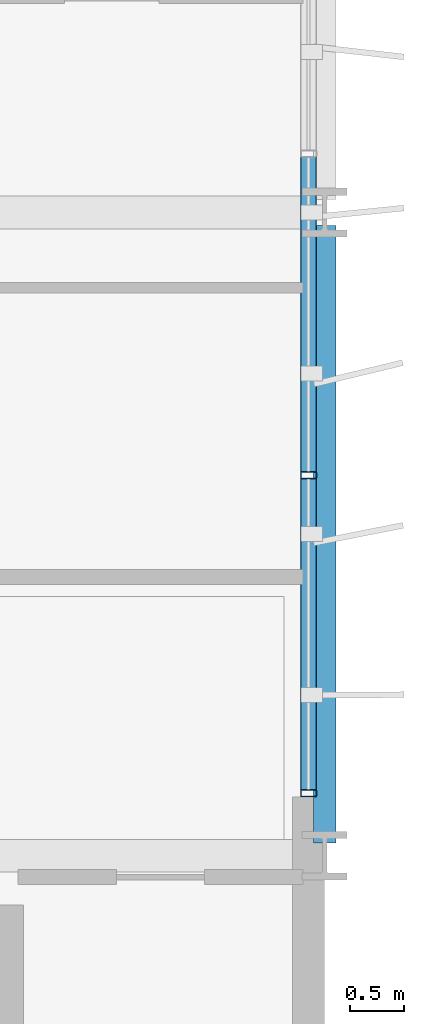
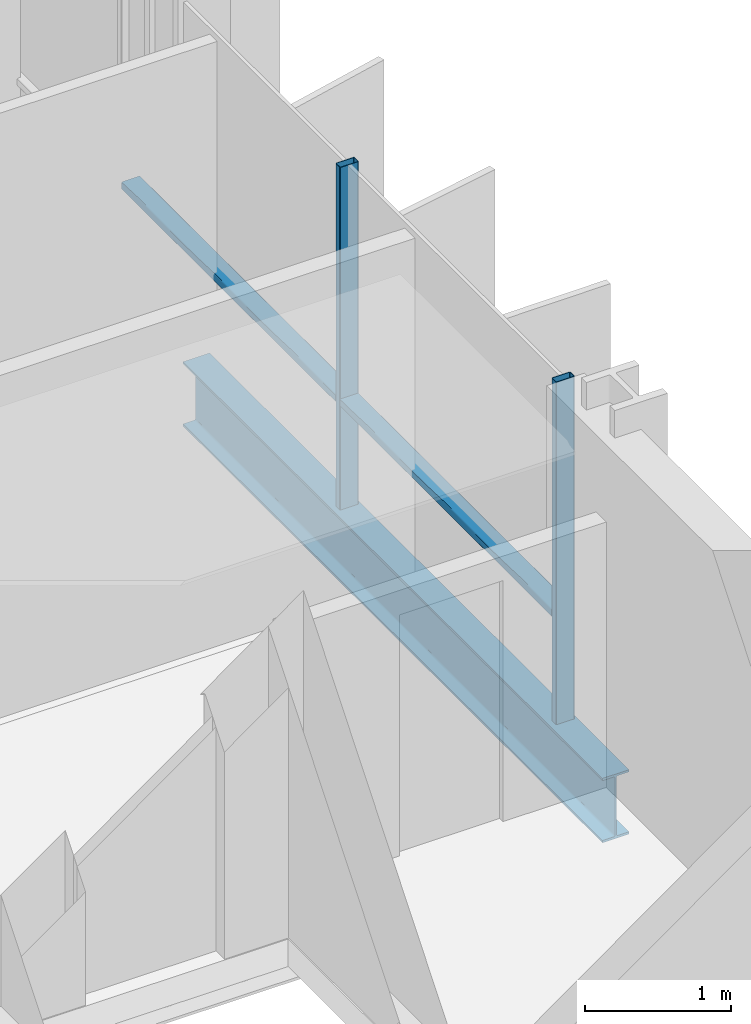
# One storey, part 15 of 39: 4 members, 1 beam, 1 element without a shape of its own.
"""IFC4 building model written with IfcOpenShell, lengths in metres."""

from ifc_helpers import new_model, si_unit, direction, frame, origin, origin_2d, place, context, subcontext, project, spatial, hollow_rectangle, i_section, extrude, material, layer, layer_set, material_profile, profile_set, type_object, element, aggregate, save


model = new_model("IFC4")

# Units and contexts
model_context = context("Model", 3, precision=1e-05, world=origin(), true_north=direction((0.0, 1.0)))
body_context = subcontext(model_context, "Body", "Model", "MODEL_VIEW")
ifc_project = project(units=[si_unit("LENGTHUNIT", "METRE"), si_unit("AREAUNIT", "SQUARE_METRE"), si_unit("VOLUMEUNIT", "CUBIC_METRE"), si_unit("PLANEANGLEUNIT", "RADIAN"), si_unit("MASSUNIT", "GRAM", prefix="KILO")], contexts=[model_context])

# Site, building, storey
site_placement = place(None, origin())
site = spatial("IfcSite", under=ifc_project, at=site_placement, CompositionType="ELEMENT")
building_placement = place(site_placement, origin())
building = spatial("IfcBuilding", under=site, at=building_placement, Name="Brevholm Reach", CompositionType="ELEMENT")
storey_placement = place(building_placement, frame((0.0, 0.0, 90.0)))
storey = spatial("IfcBuildingStorey", under=building, at=storey_placement, Name="L26", CompositionType="ELEMENT", Elevation=90.0)

# Beam
ifc_material_1 = material(Name="Structural Steel S355J2", Category="steel")
ifc_material_profile_1 = material_profile(ifc_material_1, i_section(OverallWidth=0.210693359375, OverallDepth=0.53955078125, WebThickness=0.01171875, FlangeThickness=0.018798828125, FilletRadius=0.0126953125, at=origin_2d()), Name="UKB 533x210x109")
ifc_profile_set_1 = profile_set([ifc_material_profile_1], Name="Structural Steel S355J2")
beam_type = type_object("IfcBeamType", Name="BM-SP539", PredefinedType="SPANDREL", material=ifc_profile_set_1)
beam_placement = place(storey_placement, frame((60.0, 10.1201171875, -0.499755859375), z_axis=(0.0, 1.0, 0.0), x_axis=(-1.0, 0.0, 0.0)))
element("IfcBeam", 1, at=beam_placement, inside=storey, type_object=beam_type, Name="L26 SP-01B Framing Beam", PredefinedType="SPANDREL", context=body_context, shape_type="SweptSolid", body=[
    extrude(i_section(OverallWidth=0.210693359375, OverallDepth=0.53955078125, WebThickness=0.01171875, FlangeThickness=0.018798828125, FilletRadius=0.0126953125, at=origin_2d()), origin(), (0.0, 0.0, 1.0), 5.759765625),
])

# Curtain wall, members
ifc_material_2 = material(Name="Dark Anodised Aluminium 6063-T6 and Solar-Control Glass", Category="aluminium")
ifc_layer = layer(ifc_material_2, 0.14990234375)
ifc_layer_set = layer_set([ifc_layer], Name="Dark Anodised Aluminium 6063-T6 and Solar-Control Glass")
curtain_wall_type = type_object("IfcCurtainWallType", Name="CW-01", PredefinedType="NOTDEFINED", material=ifc_layer_set)
curtain_wall_placement = place(storey_placement, origin())
curtain_wall = element("IfcCurtainWall", 2, at=curtain_wall_placement, inside=storey, type_object=curtain_wall_type, Name="L26 Curtain Wall CW-01", PredefinedType="NOTDEFINED")
ifc_material_3 = material(Name="Dark Anodised Aluminium 6063-T6", Category="aluminium")
ifc_material_profile_2 = material_profile(ifc_material_3, hollow_rectangle(XDim=0.06494140625, YDim=0.14990234375, WallThickness=0.0048828125, InnerFilletRadius=0.0048828125, OuterFilletRadius=0.010009765625, at=origin_2d()), Name="RHS 150x65x5")
ifc_profile_set_2 = profile_set([ifc_material_profile_2], Name="Dark Anodised Aluminium 6063-T6")
member_type_1 = type_object("IfcMemberType", Name="CWM-150", PredefinedType="MULLION", material=ifc_profile_set_2)
member_1_placement = place(storey_placement, frame((59.85009765625, 10.58251953125, 0.0), z_axis=(0.0, 0.0, 1.0), x_axis=(0.0, 1.0, 0.0)))
member_1 = element("IfcMember", 3, at=member_1_placement, type_object=member_type_1, Name="CM-150 Mullion 1", PredefinedType="MULLION", context=body_context, shape_type="SweptSolid", body=[
    extrude(hollow_rectangle(XDim=0.06494140625, YDim=0.14990234375, WallThickness=0.0048828125, InnerFilletRadius=0.0048828125, OuterFilletRadius=0.010009765625, at=origin_2d()), origin(), (0.0, 0.0, 1.0), 2.8701171875),
])
member_2_placement = place(storey_placement, frame((59.85009765625, 13.550048828125, 0.0), z_axis=(0.0, 0.0, 1.0), x_axis=(0.0, 1.0, 0.0)))
member_2 = element("IfcMember", 4, at=member_2_placement, type_object=member_type_1, Name="CM-150 Mullion 2", PredefinedType="MULLION", context=body_context, shape_type="SweptSolid", body=[
    extrude(hollow_rectangle(XDim=0.06494140625, YDim=0.14990234375, WallThickness=0.0048828125, InnerFilletRadius=0.0048828125, OuterFilletRadius=0.010009765625, at=origin_2d()), origin(), (0.0, 0.0, 1.0), 2.8701171875),
])
ifc_material_4 = material(Name="Dark Anodised Aluminium 6063-T6", Category="aluminium")
ifc_material_profile_3 = material_profile(ifc_material_4, hollow_rectangle(XDim=0.06494140625, YDim=0.14990234375, WallThickness=0.0048828125, InnerFilletRadius=0.0048828125, OuterFilletRadius=0.010009765625, at=origin_2d()), Name="RHS 150x65x5")
ifc_profile_set_3 = profile_set([ifc_material_profile_3], Name="Dark Anodised Aluminium 6063-T6")
member_type_2 = type_object("IfcMemberType", Name="CWT-150", PredefinedType="NOTDEFINED", material=ifc_profile_set_3)
member_3_placement = place(storey_placement, frame((59.85009765625, 10.614990234375, 0.89990234375), z_axis=(0.0, 1.0, 0.0), x_axis=(0.0, 0.0, 1.0)))
member_3 = element("IfcMember", 5, at=member_3_placement, type_object=member_type_2, Name="CT-150 Transom 1.1", ObjectType="TRANSOM", PredefinedType="USERDEFINED", context=body_context, shape_type="SweptSolid", body=[
    extrude(hollow_rectangle(XDim=0.06494140625, YDim=0.14990234375, WallThickness=0.0048828125, InnerFilletRadius=0.0048828125, OuterFilletRadius=0.010009765625, at=origin_2d()), origin(), (0.0, 0.0, 1.0), 2.902587890625),
])
member_4_placement = place(storey_placement, frame((59.85009765625, 13.58251953125, 0.89990234375), z_axis=(0.0, 1.0, 0.0), x_axis=(0.0, 0.0, 1.0)))
member_4 = element("IfcMember", 6, at=member_4_placement, type_object=member_type_2, Name="CT-150 Transom 2.1", ObjectType="TRANSOM", PredefinedType="USERDEFINED", context=body_context, shape_type="SweptSolid", body=[
    extrude(hollow_rectangle(XDim=0.06494140625, YDim=0.14990234375, WallThickness=0.0048828125, InnerFilletRadius=0.0048828125, OuterFilletRadius=0.010009765625, at=origin_2d()), origin(), (0.0, 0.0, 1.0), 2.93505859375),
])
aggregate(curtain_wall, [member_1, member_2, member_3, member_4])

save(model, "model.ifc")
